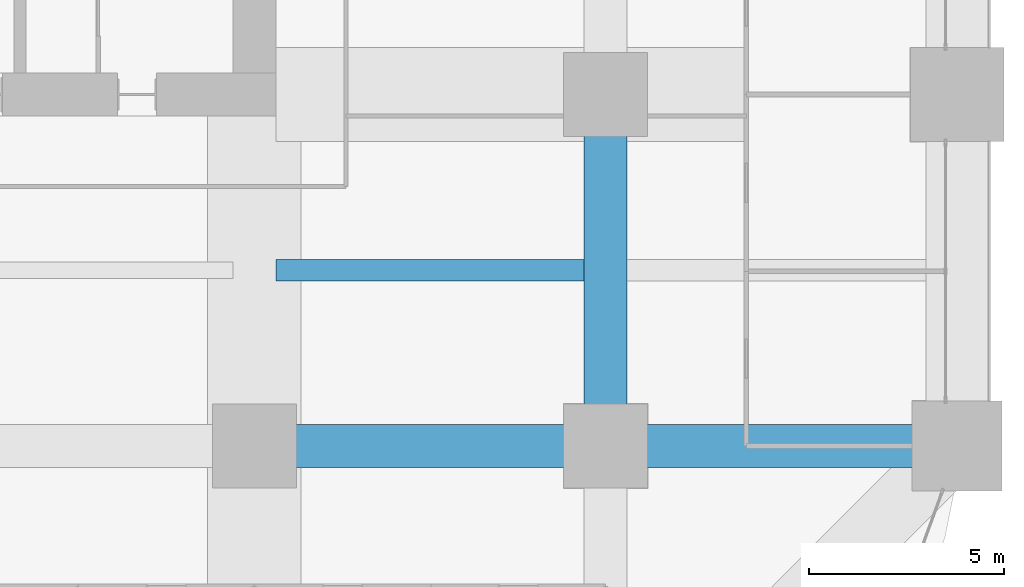
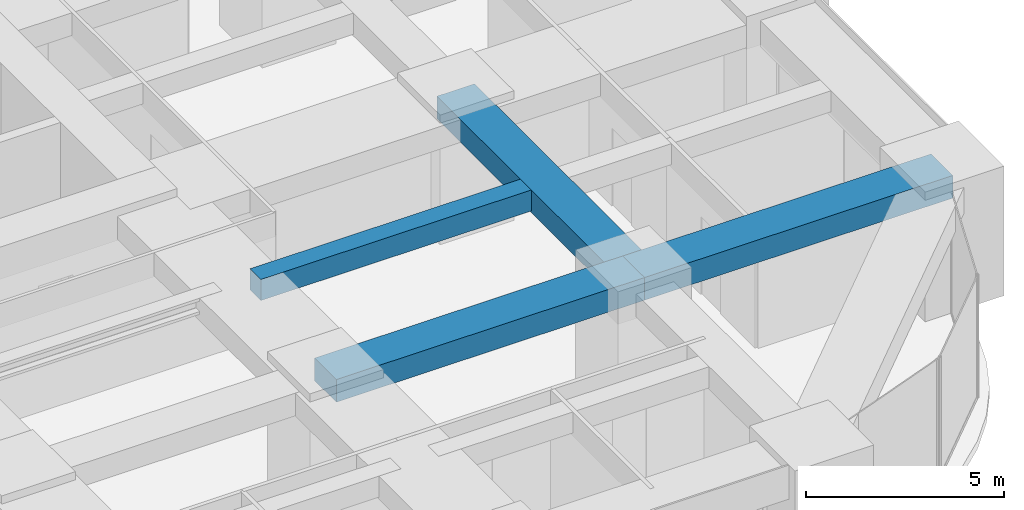
# One storey, part 17 of 45: 4 beams.
"""IFC4 building model written with IfcOpenShell, lengths in metres."""

from ifc_helpers import new_model, si_unit, direction, frame, origin, origin_2d, place, context, subcontext, project, spatial, rectangle, extrude, material, material_profile, profile_set, type_object, element, save


model = new_model("IFC4")

# Units and contexts
model_context = context("Model", 3, precision=1e-05, world=origin(), true_north=direction((0.0, 1.0)))
body_context = subcontext(model_context, "Body", "Model", "MODEL_VIEW")
ifc_project = project(units=[si_unit("LENGTHUNIT", "METRE"), si_unit("AREAUNIT", "SQUARE_METRE"), si_unit("VOLUMEUNIT", "CUBIC_METRE"), si_unit("PLANEANGLEUNIT", "RADIAN"), si_unit("MASSUNIT", "GRAM", prefix="KILO")], contexts=[model_context])

# Site, building, storey
site_placement = place(None, origin())
site = spatial("IfcSite", under=ifc_project, at=site_placement, CompositionType="ELEMENT")
building_placement = place(site_placement, origin())
building = spatial("IfcBuilding", under=site, at=building_placement, Name="Zorevar Civic Tower", CompositionType="ELEMENT")
storey_placement = place(building_placement, frame((0.0, 0.0, 71.800048828125)))
storey = spatial("IfcBuildingStorey", under=building, at=storey_placement, Name="L17", CompositionType="ELEMENT", Elevation=71.800048828125)

# Beams
ifc_material_1 = material(Name="Concrete C50/60", Category="concrete")
ifc_material_profile_1 = material_profile(ifc_material_1, rectangle(XDim=1.10009765625, YDim=0.699951171875, at=origin_2d()), Name="RC 1100x700")
ifc_profile_set_1 = profile_set([ifc_material_profile_1], Name="Concrete C50/60")
beam_type_1 = type_object("IfcBeamType", Name="Beam RC 1100x700", PredefinedType="BEAM", material=ifc_profile_set_1)
for number, where, z_axis, x_axis, name in (
    (1, (45.0, 9.0, 3.39990234375), (1.0, 0.0, 0.0), (0.0, 1.0, 0.0), "Girder L18"),
    (2, (54.0, 9.0, 3.39990234375), (1.0, 0.0, 0.0), (0.0, 1.0, 0.0), "Girder L18"),
    (3, (54.0, 9.0, 3.39990234375), (0.0, 1.0, 0.0), (-1.0, 0.0, 0.0), "Girder L18"),
):
    element("IfcBeam", number, at=place(storey_placement, frame(where, z_axis=z_axis, x_axis=x_axis)), inside=storey, type_object=beam_type_1, Name=name, PredefinedType="BEAM", context=body_context, shape_type="SweptSolid", body=[
        extrude(rectangle(XDim=1.10009765625, YDim=0.699951171875, at=origin_2d()), origin(), (0.0, 0.0, 1.0), 9.0),
    ])
ifc_material_2 = material(Name="Concrete C50/60", Category="concrete")
ifc_material_profile_2 = material_profile(ifc_material_2, rectangle(XDim=0.550048828125, YDim=0.64990234375, at=origin_2d()), Name="RC 550x650")
ifc_profile_set_2 = profile_set([ifc_material_profile_2], Name="Concrete C50/60")
beam_type_2 = type_object("IfcBeamType", Name="Beam RC 550x650", PredefinedType="BEAM", material=ifc_profile_set_2)
beam_placement = place(storey_placement, frame((45.550048828125, 13.5, 3.425048828125), z_axis=(1.0, 0.0, 0.0), x_axis=(0.0, 1.0, 0.0)))
element("IfcBeam", 4, at=beam_placement, inside=storey, type_object=beam_type_2, Name="Secondary beam L18", PredefinedType="BEAM", context=body_context, shape_type="SweptSolid", body=[
    extrude(rectangle(XDim=0.550048828125, YDim=0.64990234375, at=origin_2d()), origin(), (0.0, 0.0, 1.0), 7.89990234375),
])

save(model, "model.ifc")
